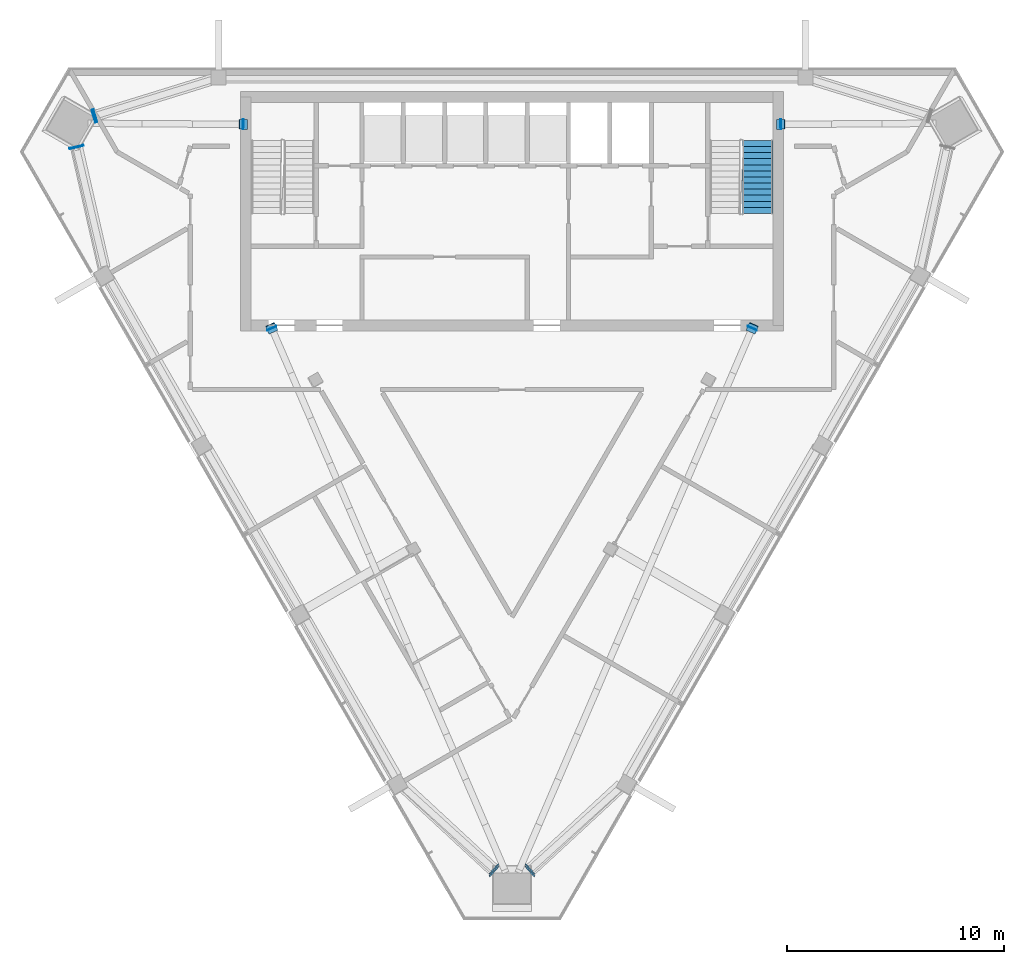
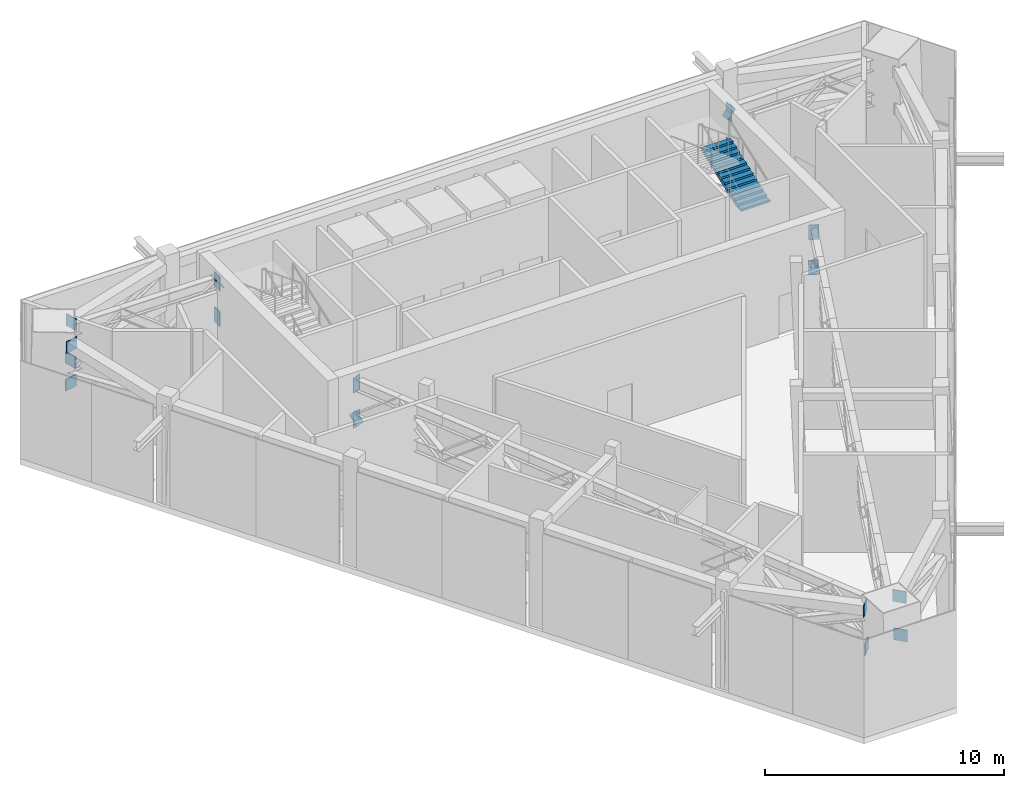
# One storey, part 10 of 13: 20 discrete accessories, 1 stair flight, 1 element without a shape of its own.
"""IFC4 building model written with IfcOpenShell, lengths in metres."""

from ifc_helpers import new_model, si_unit, direction, frame, origin, origin_2d, place, context, subcontext, project, spatial, polyline, rectangle, outline, extrude, material, material_profile, profile_set, type_object, element, aggregate, save


model = new_model("IFC4")

# Units and contexts
model_context = context("Model", 3, precision=1e-05, world=origin(), true_north=direction((0.0, 1.0)))
body_context = subcontext(model_context, "Body", "Model", "MODEL_VIEW")
ifc_project = project(units=[si_unit("LENGTHUNIT", "METRE"), si_unit("AREAUNIT", "SQUARE_METRE"), si_unit("VOLUMEUNIT", "CUBIC_METRE"), si_unit("PLANEANGLEUNIT", "RADIAN"), si_unit("MASSUNIT", "GRAM", prefix="KILO")], contexts=[model_context])

# Site, building, storey
site_placement = place(None, origin())
site = spatial("IfcSite", under=ifc_project, at=site_placement, CompositionType="ELEMENT")
building_placement = place(site_placement, origin())
building = spatial("IfcBuilding", under=site, at=building_placement, Name="Altiplano Prism Tower", CompositionType="ELEMENT")
storey_placement = place(building_placement, frame((0.0, 0.0, 286.0)))
storey = spatial("IfcBuildingStorey", under=building, at=storey_placement, Name="L74", CompositionType="ELEMENT", Elevation=286.0)

# Stair, stair flight
ifc_material_1 = material(Name="Concrete C40/50", Category="concrete")
stair_type = type_object("IfcStairType", Name="Exit stair 1400", PredefinedType="HALF_TURN_STAIR", material=ifc_material_1)
stair_placement = place(storey_placement, origin())
stair = element("IfcStair", 1, at=stair_placement, inside=storey, type_object=stair_type, Name="L74 Exit Stair 2", PredefinedType="HALF_TURN_STAIR")
stair_flight_type = type_object("IfcStairFlightType", Name="Stair flight concrete 150", PredefinedType="STRAIGHT", material=ifc_material_1)
stair_flight_placement = place(storey_placement, frame((96.300048828125, 98.300048828125, 2.699951171875), z_axis=(0.0, 0.0, 1.0), x_axis=(0.0, 1.0, 0.0)))
stair_flight = element("IfcStairFlight", 2, at=stair_flight_placement, type_object=stair_flight_type, Name="ST2 flight 3", NumberOfRisers=13, NumberOfTreads=12, PredefinedType="STRAIGHT", RiserHeight=0.103846154, TreadLength=0.28, context=body_context, shape_type="SweptSolid", body=[
    extrude(outline(polyline([(0.0, 0.0), (0.0, 0.103759765625), (0.280029296875, 0.103759765625), (0.280029296875, 0.207763671875), (0.56005859375, 0.207763671875), (0.56005859375, 0.3115234375), (0.840087890625, 0.3115234375), (0.840087890625, 0.415283203125), (1.1201171875, 0.415283203125), (1.1201171875, 0.519287109375), (1.39990234375, 0.519287109375), (1.39990234375, 0.623046875), (1.679931640625, 0.623046875), (1.679931640625, 0.726806640625), (1.9599609375, 0.726806640625), (1.9599609375, 0.830810546875), (2.239990234375, 0.830810546875), (2.239990234375, 0.9345703125), (2.52001953125, 0.9345703125), (2.52001953125, 1.03857421875), (2.800048828125, 1.03857421875), (2.800048828125, 1.142333984375), (3.080078125, 1.142333984375), (3.080078125, 1.24609375), (3.360107421875, 1.24609375), (3.360107421875, 1.35009765625), (3.360107421875, 1.086181640625), (0.43115234375, 0.0), (0.0, 0.0)])), frame((0.0, 0.699951171875, 0.0), z_axis=(0.0, -1.0, 0.0), x_axis=(1.0, 0.0, 0.0)), (0.0, 0.0, 1.0), 1.39990234375),
])
aggregate(stair, [stair_flight])

# Discrete accessories
ifc_material_2 = material(Name="Steel S355", Category="steel")
ifc_material_profile_1 = material_profile(ifc_material_2, rectangle(XDim=0.449951171875, YDim=0.60009765625, at=origin_2d()), Name="Cast-in plate 450x600x40")
ifc_profile_set_1 = profile_set([ifc_material_profile_1], Name="Steel S355")
discrete_accessory_type_1 = type_object("IfcDiscreteAccessoryType", Name="Cast-in plate 450x600x40", PredefinedType="ANCHORPLATE", material=ifc_profile_set_1)
for number, where, z_axis, x_axis, name in (
    (3, (72.64990234375, 102.39892578125, 4.699951171875), (-0.790326052414, 0.006126558546, -0.612655854584), (-0.007751705078, -0.999969955083, 0.0), "Cast-in plate Outrigger truss R3 1 diagonal 3 end 2"),
    (4, (97.35009765625, 102.39892578125, 4.699951171875), (0.790326052414, 0.006126558546, -0.612655854584), (-0.007751705078, 0.999969955083, 0.0), "Cast-in plate Outrigger truss R3 2 diagonal 3 end 2"),
):
    element("IfcDiscreteAccessory", number, at=place(storey_placement, frame(where, z_axis=z_axis, x_axis=x_axis)), inside=storey, type_object=discrete_accessory_type_1, Name=name, PredefinedType="ANCHORPLATE", context=body_context, shape_type="SweptSolid", body=[
        extrude(rectangle(XDim=0.449951171875, YDim=0.60009765625, at=origin_2d()), origin(), (0.0, 0.0, 1.0), 0.039794921875),
    ])
for number, where, z_axis, x_axis, name in (
    (5, (73.940673828125, 93.037841796875, 2.89990234375), (0.310785009641, -0.719071198778, 0.621570019282), (0.91793361307, 0.396734019208, 0.0), "Cast-in plate Outrigger truss R3 3 diagonal 12 end 2"),
    (6, (96.059326171875, 93.037841796875, 2.89990234375), (-0.310785009641, -0.719071198778, 0.621570019282), (0.91793361307, -0.396734019208, 0.0), "Cast-in plate Outrigger truss R3 4 diagonal 12 end 2"),
):
    element("IfcDiscreteAccessory", number, at=place(storey_placement, frame(where, z_axis=z_axis, x_axis=x_axis)), inside=storey, type_object=discrete_accessory_type_1, Name=name, PredefinedType="ANCHORPLATE", context=body_context, shape_type="SweptSolid", body=[
        extrude(rectangle(XDim=0.449951171875, YDim=0.60009765625, at=origin_2d()), origin(), (0.0, 0.0, 1.0), 0.0400390625),
    ])
ifc_material_profile_2 = material_profile(ifc_material_2, rectangle(XDim=0.449951171875, YDim=0.75, at=origin_2d()), Name="Cast-in plate 450x750x40")
ifc_profile_set_2 = profile_set([ifc_material_profile_2], Name="Steel S355")
discrete_accessory_type_2 = type_object("IfcDiscreteAccessoryType", Name="Cast-in plate 450x750x40", PredefinedType="ANCHORPLATE", material=ifc_profile_set_2)
for number, where, z_axis, x_axis, name in (
    (7, (72.64990234375, 102.39892578125, 2.89990234375), (-0.999981181607, 0.006134853875, 0.0), (-0.006134853875, -0.999981181607, 0.0), "Cast-in plate Outrigger truss R3 1 chord b3 end 2"),
    (8, (72.64990234375, 102.39892578125, 4.699951171875), (-0.999981181607, 0.006134853875, 0.0), (-0.006134853875, -0.999981181607, 0.0), "Cast-in plate Outrigger truss R3 1 chord t3 end 2"),
    (9, (97.35009765625, 102.39892578125, 2.89990234375), (0.999981181607, 0.006134853875, 0.0), (-0.006134853875, 0.999981181607, 0.0), "Cast-in plate Outrigger truss R3 2 chord b3 end 2"),
    (10, (97.35009765625, 102.39892578125, 4.699951171875), (0.999981181607, 0.006134853875, 0.0), (-0.006134853875, 0.999981181607, 0.0), "Cast-in plate Outrigger truss R3 2 chord t3 end 2"),
):
    element("IfcDiscreteAccessory", number, at=place(storey_placement, frame(where, z_axis=z_axis, x_axis=x_axis)), inside=storey, type_object=discrete_accessory_type_2, Name=name, PredefinedType="ANCHORPLATE", context=body_context, shape_type="SweptSolid", body=[
        extrude(rectangle(XDim=0.449951171875, YDim=0.75, at=origin_2d()), origin(), (0.0, 0.0, 1.0), 0.039794921875),
    ])
for number, where, z_axis, x_axis, name in (
    (11, (73.940673828125, 93.037841796875, 2.89990234375), (0.395387076895, -0.918514594018, 0.0), (0.918514594018, 0.395387076895, 0.0), "Cast-in plate Outrigger truss R3 3 chord b12 end 2"),
    (12, (73.940673828125, 93.037841796875, 4.699951171875), (0.395387076895, -0.918514594018, 0.0), (0.918514594018, 0.395387076895, 0.0), "Cast-in plate Outrigger truss R3 3 chord t12 end 2"),
    (13, (96.059326171875, 93.037841796875, 2.89990234375), (-0.395387076895, -0.918514594018, 0.0), (0.918514594018, -0.395387076895, 0.0), "Cast-in plate Outrigger truss R3 4 chord b12 end 2"),
    (14, (96.059326171875, 93.037841796875, 4.699951171875), (-0.395387076895, -0.918514594018, 0.0), (0.918514594018, -0.395387076895, 0.0), "Cast-in plate Outrigger truss R3 4 chord t12 end 2"),
):
    element("IfcDiscreteAccessory", number, at=place(storey_placement, frame(where, z_axis=z_axis, x_axis=x_axis)), inside=storey, type_object=discrete_accessory_type_2, Name=name, PredefinedType="ANCHORPLATE", context=body_context, shape_type="SweptSolid", body=[
        extrude(rectangle(XDim=0.449951171875, YDim=0.75, at=origin_2d()), origin(), (0.0, 0.0, 1.0), 0.0400390625),
    ])
ifc_material_profile_3 = material_profile(ifc_material_2, rectangle(XDim=0.60009765625, YDim=0.60009765625, at=origin_2d()), Name="Truss end plate 600x600x40")
ifc_profile_set_3 = profile_set([ifc_material_profile_3], Name="Steel S355")
discrete_accessory_type_3 = type_object("IfcDiscreteAccessoryType", Name="Truss end plate 600x600x40", PredefinedType="ANCHORPLATE", material=ifc_profile_set_3)
discrete_accessory_1_placement = place(storey_placement, frame((65.74755859375, 102.771240234375, 2.85009765625), z_axis=(0.956304273979, 0.292373281217, 0.0), x_axis=(-0.292373281217, 0.956304273979, 0.0)))
element("IfcDiscreteAccessory", 15, at=discrete_accessory_1_placement, inside=storey, type_object=discrete_accessory_type_3, Name="Truss end plate Belt truss R3 chord b4 end 2", PredefinedType="ANCHORPLATE", context=body_context, shape_type="SweptSolid", body=[
    extrude(rectangle(XDim=0.60009765625, YDim=0.60009765625, at=origin_2d()), origin(), (0.0, 0.0, 1.0), 0.0400390625),
])
discrete_accessory_2_placement = place(storey_placement, frame((65.8017578125, 102.78857421875, 4.75), z_axis=(0.955779008722, 0.294085848838, 0.0), x_axis=(-0.294085848838, 0.955779008722, 0.0)))
element("IfcDiscreteAccessory", 16, at=discrete_accessory_2_placement, inside=storey, type_object=discrete_accessory_type_3, Name="Truss end plate Belt truss R3 chord t4 end 2", PredefinedType="ANCHORPLATE", context=body_context, shape_type="SweptSolid", body=[
    extrude(rectangle(XDim=0.60009765625, YDim=0.60009765625, at=origin_2d()), origin(), (0.0, 0.0, 1.0), 0.039794921875),
])
for number, where, z_axis, x_axis, name in (
    (17, (64.935791015625, 101.36474609375, 2.85009765625), (0.219512195122, -0.975609756098, 0.0), (0.975609756098, 0.219512195122, 0.0), "Truss end plate Belt truss R3 chord b5 end 1"),
    (18, (64.98974609375, 101.38232421875, 4.75), (0.225304207648, -0.974288465505, 0.0), (0.974288465505, 0.225304207648, 0.0), "Truss end plate Belt truss R3 chord t5 end 1"),
):
    element("IfcDiscreteAccessory", number, at=place(storey_placement, frame(where, z_axis=z_axis, x_axis=x_axis)), inside=storey, type_object=discrete_accessory_type_3, Name=name, PredefinedType="ANCHORPLATE", context=body_context, shape_type="SweptSolid", body=[
        extrude(rectangle(XDim=0.60009765625, YDim=0.60009765625, at=origin_2d()), origin(), (0.0, 0.0, 1.0), 0.0400390625),
    ])
discrete_accessory_3_placement = place(storey_placement, frame((84.18798828125, 68.018798828125, 2.85009765625), z_axis=(-0.734099439586, 0.679041981617, 0.0), x_axis=(-0.679041981617, -0.734099439586, 0.0)))
element("IfcDiscreteAccessory", 19, at=discrete_accessory_3_placement, inside=storey, type_object=discrete_accessory_type_3, Name="Truss end plate Belt truss R3 chord b9 end 2", PredefinedType="ANCHORPLATE", context=body_context, shape_type="SweptSolid", body=[
    extrude(rectangle(XDim=0.60009765625, YDim=0.60009765625, at=origin_2d()), origin(), (0.0, 0.0, 1.0), 0.039794921875),
])
discrete_accessory_4_placement = place(storey_placement, frame((84.188232421875, 68.1298828125, 4.75), z_axis=(-0.736901292288, 0.676000359041, 0.0), x_axis=(-0.676000359041, -0.736901292288, 0.0)))
element("IfcDiscreteAccessory", 20, at=discrete_accessory_4_placement, inside=storey, type_object=discrete_accessory_type_3, Name="Truss end plate Belt truss R3 chord t9 end 2", PredefinedType="ANCHORPLATE", context=body_context, shape_type="SweptSolid", body=[
    extrude(rectangle(XDim=0.60009765625, YDim=0.60009765625, at=origin_2d()), origin(), (0.0, 0.0, 1.0), 0.0400390625),
])
discrete_accessory_5_placement = place(storey_placement, frame((85.81201171875, 68.018798828125, 2.85009765625), z_axis=(0.734099439586, 0.679041981617, 0.0), x_axis=(-0.679041981617, 0.734099439586, 0.0)))
element("IfcDiscreteAccessory", 21, at=discrete_accessory_5_placement, inside=storey, type_object=discrete_accessory_type_3, Name="Truss end plate Belt truss R3 chord b10 end 1", PredefinedType="ANCHORPLATE", context=body_context, shape_type="SweptSolid", body=[
    extrude(rectangle(XDim=0.60009765625, YDim=0.60009765625, at=origin_2d()), origin(), (0.0, 0.0, 1.0), 0.039794921875),
])
discrete_accessory_6_placement = place(storey_placement, frame((85.811767578125, 68.1298828125, 4.75), z_axis=(0.736901292288, 0.676000359041, 0.0), x_axis=(-0.676000359041, 0.736901292288, 0.0)))
element("IfcDiscreteAccessory", 22, at=discrete_accessory_6_placement, inside=storey, type_object=discrete_accessory_type_3, Name="Truss end plate Belt truss R3 chord t10 end 1", PredefinedType="ANCHORPLATE", context=body_context, shape_type="SweptSolid", body=[
    extrude(rectangle(XDim=0.60009765625, YDim=0.60009765625, at=origin_2d()), origin(), (0.0, 0.0, 1.0), 0.0400390625),
])

save(model, "model.ifc")
